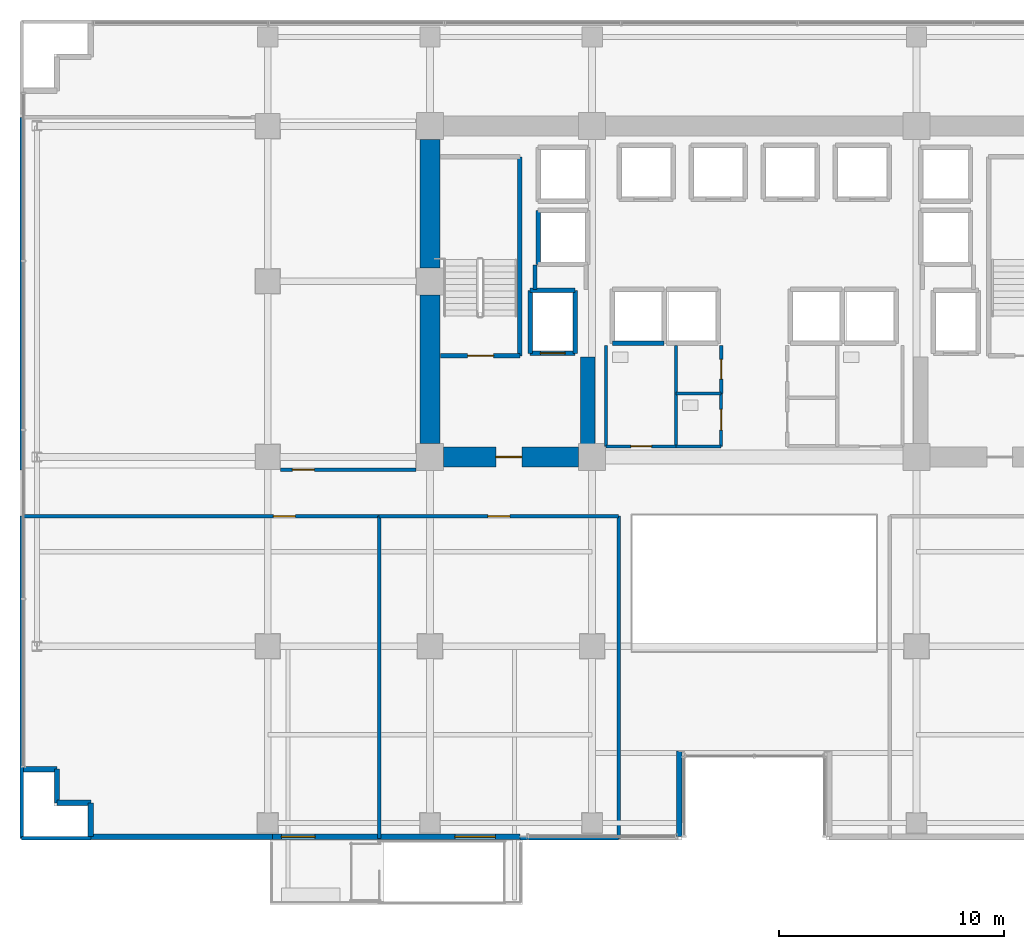
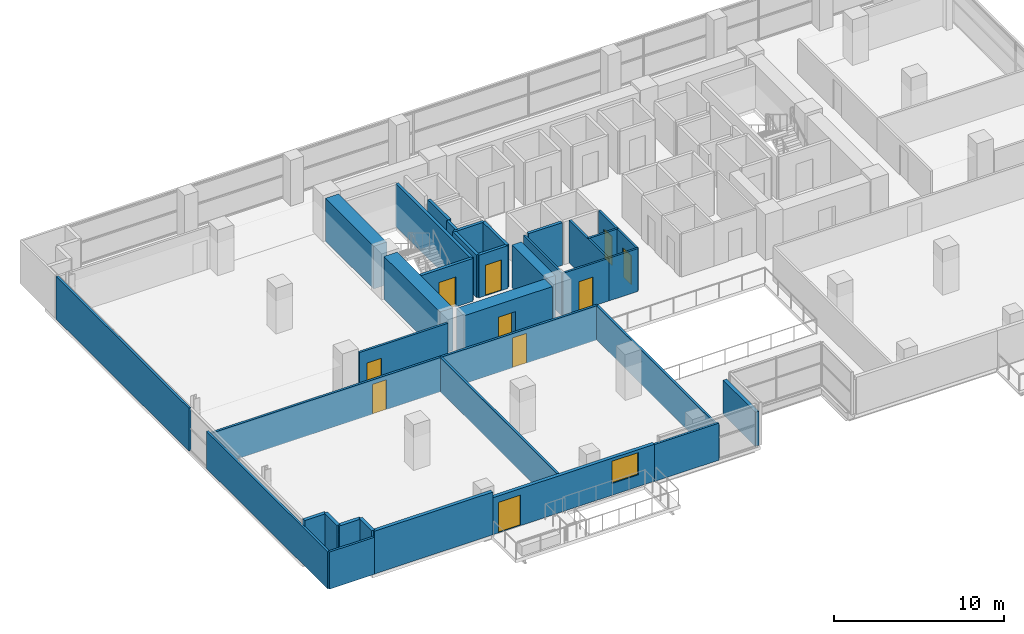
# One storey, part 22 of 30: 36 walls, 10 doors, 1 window, 11 openings.
"""IFC4 building model written with IfcOpenShell, lengths in metres."""

from ifc_helpers import new_model, si_unit, direction, frame, frame_2d, origin, place, context, subcontext, project, spatial, rectangle, extrude, source, transform, mapped, material, layer, layer_set, type_object, element, fill, save


model = new_model("IFC4")

# Units and contexts
model_context = context("Model", 3, precision=1e-05, world=origin(), true_north=direction((0.0, 1.0)))
body_context = subcontext(model_context, "Body", "Model", "MODEL_VIEW")
ifc_project = project(units=[si_unit("LENGTHUNIT", "METRE"), si_unit("AREAUNIT", "SQUARE_METRE"), si_unit("VOLUMEUNIT", "CUBIC_METRE"), si_unit("PLANEANGLEUNIT", "RADIAN"), si_unit("MASSUNIT", "GRAM", prefix="KILO")], contexts=[model_context])

# Site, building, storey
site_placement = place(None, origin())
site = spatial("IfcSite", under=ifc_project, at=site_placement, CompositionType="ELEMENT")
building_placement = place(site_placement, origin())
building = spatial("IfcBuilding", under=site, at=building_placement, Name="Zarnakvel Exchange Tower", CompositionType="ELEMENT")
storey_placement = place(building_placement, frame((0.0, 0.0, 30.699951171875)))
storey = spatial("IfcBuildingStorey", under=building, at=storey_placement, Name="L07", CompositionType="ELEMENT", Elevation=30.699951171875)

# Walls
ifc_material_1 = material(Name="Concrete C80/95", Category="concrete")
ifc_layer_1 = layer(ifc_material_1, 0.89990234375)
ifc_layer_set_1 = layer_set([ifc_layer_1], Name="Concrete C80/95")
wall_type_1 = type_object("IfcWallType", Name="CW-C1", PredefinedType="SHEAR", material=ifc_layer_set_1)
wall_1_placement = place(storey_placement, frame((-14.39990234375, -0.60009765625, 0.0), z_axis=(0.0, 0.0, 1.0), x_axis=(0.0, 1.0, 0.0)))
element("IfcWall", 1, at=wall_1_placement, inside=storey, type_object=wall_type_1, Name="L07 Rear Core Shear Wall W1 (CW-C1)", PredefinedType="SHEAR", context=body_context, shape_type="SweptSolid", body=[
    extrude(rectangle(XDim=6.60009765625, YDim=0.89990234375, at=frame_2d((3.300048828125, 0.0))), origin(), (0.0, 0.0, 1.0), 3.074951171875),
])
wall_2_placement = place(storey_placement, frame((-14.39990234375, 7.199951171875, 0.0), z_axis=(0.0, 0.0, 1.0), x_axis=(0.0, 1.0, 0.0)))
element("IfcWall", 2, at=wall_2_placement, inside=storey, type_object=wall_type_1, Name="L07 Rear Core Shear Wall W2 (CW-C1)", PredefinedType="SHEAR", context=body_context, shape_type="SweptSolid", body=[
    extrude(rectangle(XDim=5.699951171875, YDim=0.89990234375, at=frame_2d((2.85009765625, 0.0))), origin(), (0.0, 0.0, 1.0), 3.074951171875),
])

# Wall, opening, door
wall_3_placement = place(storey_placement, frame((-7.800048828125, -1.199951171875, 0.0), z_axis=(0.0, 0.0, 1.0), x_axis=(-1.0, 0.0, 0.0)))
wall_3 = element("IfcWall", 3, at=wall_3_placement, inside=storey, type_object=wall_type_1, Name="L07 Rear Core Shear Wall SW (CW-C1)", PredefinedType="SHEAR", context=body_context, shape_type="SweptSolid", body=[
    extrude(rectangle(XDim=6.0, YDim=0.89990234375, at=frame_2d((3.0, 0.0))), origin(), (0.0, 0.0, 1.0), 3.074951171875),
])
opening_1_placement = place(wall_3_placement, frame((2.52490234375, 0.0, 0.0)))
opening_1 = element("IfcOpeningElement", 4, at=opening_1_placement, cuts=wall_3, Name="Opening D-L07-03", PredefinedType="OPENING", context=body_context, shape_type="SweptSolid", body=[
    extrude(rectangle(XDim=1.14990234375, YDim=2.14990234375, at=frame_2d((0.574951171875, 1.074951171875))), frame((0.0, 0.4599609375, 0.0), z_axis=(0.0, -1.0, 0.0), x_axis=(1.0, 0.0, 0.0)), (0.0, 0.0, 1.0), 0.919921875),
])
ifc_material_2 = material(Name="Painted Galvanised Steel S355", Category="steel")
door_type_1 = type_object("IfcDoorType", Name="DT-04", OperationType="NOTDEFINED", PredefinedType="DOOR", material=ifc_material_2)
shared_shape_1 = source(origin(), body_context, "Body", "SweptSolid", [
    extrude(rectangle(XDim=1.14990234375, YDim=2.14990234375, at=frame_2d((0.574951171875, 1.074951171875))), frame((0.0, 0.02490234375, 0.0), z_axis=(0.0, -1.0, 0.0), x_axis=(1.0, 0.0, 0.0)), (0.0, 0.0, 1.0), 0.050048828125),
])
door_1_placement = place(opening_1_placement, origin())
door_1 = element("IfcDoor", 5, at=door_1_placement, inside=storey, type_object=door_type_1, Name="L07 Firefighting Lobby West Door D-L07-03", OperationType="SINGLE_SWING_RIGHT", OverallHeight=2.14990234375, OverallWidth=1.14990234375, PredefinedType="DOOR", context=body_context, shape_type="MappedRepresentation", body=[
    mapped(shared_shape_1, transform((0.0, 0.0, 0.0), x_axis=(1.0, 0.0, 0.0), y_axis=(0.0, 1.0, 0.0), z_axis=(0.0, 0.0, 1.0), scale=1.0)),
])
fill(opening_1, door_1)

# Wall
ifc_layer_2 = layer(ifc_material_1, 0.64990234375)
ifc_layer_set_2 = layer_set([ifc_layer_2], Name="Concrete C80/95")
wall_type_2 = type_object("IfcWallType", Name="CW-C2", PredefinedType="SHEAR", material=ifc_layer_set_2)
wall_4_placement = place(storey_placement, frame((-7.39990234375, -0.75, 0.0), z_axis=(0.0, 0.0, 1.0), x_axis=(0.0, 1.0, 0.0)))
element("IfcWall", 6, at=wall_4_placement, inside=storey, type_object=wall_type_2, Name="L07 Rear Core Shear Wall IW (CW-C2)", PredefinedType="SHEAR", context=body_context, shape_type="SweptSolid", body=[
    extrude(rectangle(XDim=4.0, YDim=0.64990234375, at=frame_2d((2.0, 0.0))), origin(), (0.0, 0.0, 1.0), 3.074951171875),
])

# Wall, openings, door, window
ifc_material_3 = material(Name="Precast concrete C40/50", Category="concrete")
ifc_layer_3 = layer(ifc_material_3, 0.239990234375)
ifc_layer_set_3 = layer_set([ifc_layer_3], Name="Precast concrete C40/50")
wall_type_3 = type_object("IfcWallType", Name="EW-02", PredefinedType="SOLIDWALL", material=ifc_layer_set_3)
wall_5_placement = place(storey_placement, frame((-10.39990234375, -18.06005859375, 0.0), z_axis=(0.0, 0.0, 1.0), x_axis=(-1.0, 0.0, 0.0)))
wall_5 = element("IfcWall", 7, at=wall_5_placement, inside=storey, type_object=wall_type_3, Name="L07 Exterior Precast Spandrel Wall EW-SPTER-L07 (EW-02)", PredefinedType="SOLIDWALL", context=body_context, shape_type="SweptSolid", body=[
    extrude(rectangle(XDim=11.0, YDim=0.239990234375, at=frame_2d((5.5, 0.0))), origin(), (0.0, 0.0, 1.0), 2.6650390625),
])
opening_2_placement = place(wall_5_placement, frame((9.10009765625, 0.0, 0.0)))
opening_2 = element("IfcOpeningElement", 8, at=opening_2_placement, cuts=wall_5, Name="Opening TD-L07-SP", PredefinedType="OPENING", context=body_context, shape_type="SweptSolid", body=[
    extrude(rectangle(XDim=1.5, YDim=2.199951171875, at=frame_2d((0.75, 1.10009765625))), frame((0.0, 0.1298828125, 0.0), z_axis=(0.0, -1.0, 0.0), x_axis=(1.0, 0.0, 0.0)), (0.0, 0.0, 1.0), 0.260009765625),
])
opening_3_placement = place(wall_5_placement, frame((1.10009765625, 0.0, 0.85009765625)))
opening_3 = element("IfcOpeningElement", 9, at=opening_3_placement, cuts=wall_5, Name="Opening WN-05", PredefinedType="OPENING", context=body_context, shape_type="SweptSolid", body=[
    extrude(rectangle(XDim=1.800048828125, YDim=1.60009765625, at=frame_2d((0.89990234375, 0.800048828125))), frame((0.0, 0.1298828125, 0.0), z_axis=(0.0, -1.0, 0.0), x_axis=(1.0, 0.0, 0.0)), (0.0, 0.0, 1.0), 0.260009765625),
])
ifc_material_4 = material(Name="Architectural Bronze Anodised Aluminium", Category="aluminium")
door_type_2 = type_object("IfcDoorType", Name="DT-10", OperationType="NOTDEFINED", PredefinedType="DOOR", material=ifc_material_4)
shared_shape_2 = source(origin(), body_context, "Body", "SweptSolid", [
    extrude(rectangle(XDim=1.5, YDim=2.199951171875, at=frame_2d((0.75, 1.10009765625))), frame((0.0, 0.02490234375, 0.0), z_axis=(0.0, -1.0, 0.0), x_axis=(1.0, 0.0, 0.0)), (0.0, 0.0, 1.0), 0.050048828125),
])
door_2_placement = place(opening_2_placement, origin())
door_2 = element("IfcDoor", 10, at=door_2_placement, inside=storey, type_object=door_type_2, Name="L07 Spiral Sky-Terrace Access Door TD-L07-SP", OperationType="DOUBLE_DOOR_SINGLE_SWING", OverallHeight=2.199951171875, OverallWidth=1.5, PredefinedType="DOOR", context=body_context, shape_type="MappedRepresentation", body=[
    mapped(shared_shape_2, transform((0.0, 0.0, 0.0), x_axis=(1.0, 0.0, 0.0), y_axis=(0.0, 1.0, 0.0), z_axis=(0.0, 0.0, 1.0), scale=1.0)),
])
fill(opening_2, door_2)
ifc_material_5 = material(Name="Double Low-E Laminated Vision Glass", Category="glass")
window_type = type_object("IfcWindowType", Name="WN-05", PartitioningType="SINGLE_PANEL", PredefinedType="WINDOW", material=ifc_material_5)
shared_shape_3 = source(origin(), body_context, "Body", "SweptSolid", [
    extrude(rectangle(XDim=1.800048828125, YDim=1.60009765625, at=frame_2d((0.89990234375, 0.800048828125))), frame((0.0, 0.030029296875, 0.0), z_axis=(0.0, -1.0, 0.0), x_axis=(1.0, 0.0, 0.0)), (0.0, 0.0, 1.0), 0.06005859375),
])
window_placement = place(opening_3_placement, origin())
window = element("IfcWindow", 11, at=window_placement, inside=storey, type_object=window_type, Name="L07 Spiral Sky-Terrace Lounge Window", OverallHeight=1.60009765625, OverallWidth=1.800048828125, PartitioningType="SINGLE_PANEL", PredefinedType="WINDOW", context=body_context, shape_type="MappedRepresentation", body=[
    mapped(shared_shape_3, transform((0.0, 0.0, 0.0), x_axis=(1.0, 0.0, 0.0), y_axis=(0.0, 1.0, 0.0), z_axis=(0.0, 0.0, 1.0), scale=1.0)),
])
fill(opening_3, window)

# Walls
wall_6_placement = place(storey_placement, frame((-3.340087890625, -18.06005859375, 0.0), z_axis=(0.0, 0.0, 1.0), x_axis=(0.0, 1.0, 0.0)))
element("IfcWall", 12, at=wall_6_placement, inside=storey, type_object=wall_type_3, Name="L07 Exterior Precast Spandrel Wall EWC-L07-20 (EW-02)", PredefinedType="SOLIDWALL", context=body_context, shape_type="SweptSolid", body=[
    extrude(rectangle(XDim=3.800048828125, YDim=0.239990234375, at=frame_2d((1.89990234375, 0.0))), origin(), (0.0, 0.0, 1.0), 2.465087890625),
])
wall_7_placement = place(storey_placement, frame((-29.4599609375, -18.06005859375, 0.0), z_axis=(0.0, 0.0, 1.0), x_axis=(1.0, 0.0, 0.0)))
element("IfcWall", 13, at=wall_7_placement, inside=storey, type_object=wall_type_3, Name="L07 Exterior Precast Spandrel Wall EWC-L07-22 (EW-02)", PredefinedType="SOLIDWALL", context=body_context, shape_type="SweptSolid", body=[
    extrude(rectangle(XDim=8.06005859375, YDim=0.239990234375, at=frame_2d((4.030029296875, 0.0))), origin(), (0.0, 0.0, 1.0), 3.074951171875),
])
for number, where, z_axis, x_axis, name in (
    (14, (-29.4599609375, -16.56005859375, 0.0), (0.0, 0.0, 1.0), (0.0, -1.0, 0.0), "L07 Exterior Precast Spandrel Wall EWC-L07-23 (EW-02)"),
    (15, (-30.9599609375, -16.56005859375, 0.0), (0.0, 0.0, 1.0), (1.0, 0.0, 0.0), "L07 Exterior Precast Spandrel Wall EWC-L07-24 (EW-02)"),
    (16, (-30.9599609375, -15.06005859375, 0.0), (0.0, 0.0, 1.0), (0.0, -1.0, 0.0), "L07 Exterior Precast Spandrel Wall EWC-L07-25 (EW-02)"),
    (17, (-32.4599609375, -15.06005859375, 0.0), (0.0, 0.0, 1.0), (1.0, 0.0, 0.0), "L07 Exterior Precast Spandrel Wall EWC-L07-26 (EW-02)"),
):
    element("IfcWall", number, at=place(storey_placement, frame(where, z_axis=z_axis, x_axis=x_axis)), inside=storey, type_object=wall_type_3, Name=name, PredefinedType="SOLIDWALL", context=body_context, shape_type="SweptSolid", body=[
        extrude(rectangle(XDim=1.5, YDim=0.239990234375, at=frame_2d((0.75, 0.0))), origin(), (0.0, 0.0, 1.0), 3.074951171875),
    ])

# Wall, opening, door
ifc_material_6 = material(Name="Fire-Rated Gypsum Stud Partition", Category="gypsum")
ifc_layer_4 = layer(ifc_material_6, 0.14990234375)
ifc_layer_set_4 = layer_set([ifc_layer_4], Name="Fire-Rated Gypsum Stud Partition")
wall_type_4 = type_object("IfcWallType", Name="PT-01", PredefinedType="PARTITIONING", material=ifc_layer_set_4)
wall_8_placement = place(storey_placement, frame((-1.469970703125, 3.760009765625, 0.0), z_axis=(0.0, 0.0, 1.0), x_axis=(0.0, -1.0, 0.0)))
wall_8 = element("IfcWall", 18, at=wall_8_placement, inside=storey, type_object=wall_type_4, Name="L07 Partition Wall PWALL-L07-017 (PT-01)", PredefinedType="PARTITIONING", context=body_context, shape_type="SweptSolid", body=[
    extrude(rectangle(XDim=2.130126953125, YDim=0.14990234375, at=frame_2d((1.06494140625, 0.0))), origin(), (0.0, 0.0, 1.0), 3.074951171875),
])
opening_4_placement = place(wall_8_placement, frame((0.6201171875, 0.0, 0.0)))
opening_4 = element("IfcOpeningElement", 19, at=opening_4_placement, cuts=wall_8, Name="Opening D-L07-07", PredefinedType="OPENING", context=body_context, shape_type="SweptSolid", body=[
    extrude(rectangle(XDim=0.8798828125, YDim=2.10009765625, at=frame_2d((0.43994140625, 1.050048828125))), frame((0.0, 0.0849609375, 0.0), z_axis=(0.0, -1.0, 0.0), x_axis=(1.0, 0.0, 0.0)), (0.0, 0.0, 1.0), 0.169921875),
])
door_type_3 = type_object("IfcDoorType", Name="DT-08", OperationType="NOTDEFINED", PredefinedType="DOOR", material=ifc_material_2)
shared_shape_4 = source(origin(), body_context, "Body", "SweptSolid", [
    extrude(rectangle(XDim=0.8798828125, YDim=2.10009765625, at=frame_2d((0.43994140625, 1.050048828125))), frame((0.0, 0.02490234375, 0.0), z_axis=(0.0, -1.0, 0.0), x_axis=(1.0, 0.0, 0.0)), (0.0, 0.0, 1.0), 0.050048828125),
])
door_3_placement = place(opening_4_placement, origin())
door_3 = element("IfcDoor", 20, at=door_3_placement, inside=storey, type_object=door_type_3, Name="L07 Core Comms Room Door D-L07-07", OperationType="SINGLE_SWING_RIGHT", OverallHeight=2.10009765625, OverallWidth=0.8798828125, PredefinedType="DOOR", context=body_context, shape_type="MappedRepresentation", body=[
    mapped(shared_shape_4, transform((0.0, 0.0, 0.0), x_axis=(1.0, 0.0, 0.0), y_axis=(0.0, 1.0, 0.0), z_axis=(0.0, 0.0, 1.0), scale=1.0)),
])
fill(opening_4, door_3)

# Wall
wall_9_placement = place(storey_placement, frame((-29.4599609375, -18.1298828125, 0.0), z_axis=(0.0, 0.0, 1.0), x_axis=(-1.0, 0.0, 0.0)))
element("IfcWall", 21, at=wall_9_placement, inside=storey, type_object=wall_type_4, Name="L07 Partition Wall PWALL-L07-026 (PT-01)", PredefinedType="PARTITIONING", context=body_context, shape_type="SweptSolid", body=[
    extrude(rectangle(XDim=3.070068359375, YDim=0.14990234375, at=frame_2d((1.53515625, 0.0))), origin(), (0.0, 0.0, 1.0), 2.6650390625),
])

# Wall, opening, door
wall_10_placement = place(storey_placement, frame((-32.530029296875, -3.830078125, 0.0), z_axis=(0.0, 0.0, 1.0), x_axis=(1.0, 0.0, 0.0)))
wall_10 = element("IfcWall", 22, at=wall_10_placement, inside=storey, type_object=wall_type_4, Name="L07 Partition Wall PWALL-L07-027 (PT-01)", PredefinedType="PARTITIONING", context=body_context, shape_type="SweptSolid", body=[
    extrude(rectangle(XDim=15.8740234375, YDim=0.14990234375, at=frame_2d((7.93701171875, 0.0))), origin(), (0.0, 0.0, 1.0), 2.465087890625),
])
opening_5_placement = place(wall_10_placement, frame((11.172119140625, 0.0, 0.0)))
opening_5 = element("IfcOpeningElement", 23, at=opening_5_placement, cuts=wall_10, Name="Opening D-L07-11", PredefinedType="OPENING", context=body_context, shape_type="SweptSolid", body=[
    extrude(rectangle(XDim=0.97998046875, YDim=2.14990234375, at=frame_2d((0.489990234375, 1.074951171875))), frame((0.0, 0.0849609375, 0.0), z_axis=(0.0, -1.0, 0.0), x_axis=(1.0, 0.0, 0.0)), (0.0, 0.0, 1.0), 0.169921875),
])
ifc_material_7 = material(Name="Timber Acoustic Veneer", Category="wood")
door_type_4 = type_object("IfcDoorType", Name="DT-05", OperationType="NOTDEFINED", PredefinedType="DOOR", material=ifc_material_7)
shared_shape_5 = source(origin(), body_context, "Body", "SweptSolid", [
    extrude(rectangle(XDim=0.97998046875, YDim=2.14990234375, at=frame_2d((0.489990234375, 1.074951171875))), frame((0.0, 0.02490234375, 0.0), z_axis=(0.0, -1.0, 0.0), x_axis=(1.0, 0.0, 0.0)), (0.0, 0.0, 1.0), 0.050048828125),
])
door_4_placement = place(opening_5_placement, origin())
door_4 = element("IfcDoor", 24, at=door_4_placement, inside=storey, type_object=door_type_4, Name="L07 Electronic Trading Hall Door D-L07-11", OperationType="SINGLE_SWING_RIGHT", OverallHeight=2.14990234375, OverallWidth=0.97998046875, PredefinedType="DOOR", context=body_context, shape_type="MappedRepresentation", body=[
    mapped(shared_shape_5, transform((0.0, 0.0, 0.0), x_axis=(1.0, 0.0, 0.0), y_axis=(0.0, 1.0, 0.0), z_axis=(0.0, 0.0, 1.0), scale=1.0)),
])
fill(opening_5, door_4)

# Walls
wall_11_placement = place(storey_placement, frame((-32.530029296875, -18.1298828125, 0.0), z_axis=(0.0, 0.0, 1.0), x_axis=(0.0, 1.0, 0.0)))
element("IfcWall", 25, at=wall_11_placement, inside=storey, type_object=wall_type_4, Name="L07 Partition Wall PWALL-L07-028 (PT-01)", PredefinedType="PARTITIONING", context=body_context, shape_type="SweptSolid", body=[
    extrude(rectangle(XDim=14.2998046875, YDim=0.14990234375, at=frame_2d((7.14990234375, 0.0))), origin(), (0.0, 0.0, 1.0), 2.6650390625),
])
wall_12_placement = place(storey_placement, frame((-16.656005859375, -3.830078125, 0.0), z_axis=(0.0, 0.0, 1.0), x_axis=(0.0, -1.0, 0.0)))
element("IfcWall", 26, at=wall_12_placement, inside=storey, type_object=wall_type_4, Name="L07 Partition Wall PWALL-L07-029 (PT-01)", PredefinedType="PARTITIONING", context=body_context, shape_type="SweptSolid", body=[
    extrude(rectangle(XDim=14.2998046875, YDim=0.14990234375, at=frame_2d((7.14990234375, 0.0))), origin(), (0.0, 0.0, 1.0), 2.465087890625),
])
wall_13_placement = place(storey_placement, frame((-6.02001953125, -18.1298828125, 0.0), z_axis=(0.0, 0.0, 1.0), x_axis=(-1.0, 0.0, 0.0)))
element("IfcWall", 27, at=wall_13_placement, inside=storey, type_object=wall_type_4, Name="L07 Partition Wall PWALL-L07-030 (PT-01)", PredefinedType="PARTITIONING", context=body_context, shape_type="SweptSolid", body=[
    extrude(rectangle(XDim=4.3798828125, YDim=0.14990234375, at=frame_2d((2.18994140625, 0.0))), origin(), (0.0, 0.0, 1.0), 2.6650390625),
])

# Wall, opening, door
wall_14_placement = place(storey_placement, frame((-16.656005859375, -3.830078125, 0.0), z_axis=(0.0, 0.0, 1.0), x_axis=(1.0, 0.0, 0.0)))
wall_14 = element("IfcWall", 28, at=wall_14_placement, inside=storey, type_object=wall_type_4, Name="L07 Partition Wall PWALL-L07-031 (PT-01)", PredefinedType="PARTITIONING", context=body_context, shape_type="SweptSolid", body=[
    extrude(rectangle(XDim=10.635986328125, YDim=0.14990234375, at=frame_2d((5.31787109375, 0.0))), origin(), (0.0, 0.0, 1.0), 2.465087890625),
])
opening_6_placement = place(wall_14_placement, frame((4.827880859375, 0.0, 0.0)))
opening_6 = element("IfcOpeningElement", 29, at=opening_6_placement, cuts=wall_14, Name="Opening D-L07-12", PredefinedType="OPENING", context=body_context, shape_type="SweptSolid", body=[
    extrude(rectangle(XDim=0.97998046875, YDim=2.14990234375, at=frame_2d((0.489990234375, 1.074951171875))), frame((0.0, 0.0849609375, 0.0), z_axis=(0.0, -1.0, 0.0), x_axis=(1.0, 0.0, 0.0)), (0.0, 0.0, 1.0), 0.169921875),
])
door_5_placement = place(opening_6_placement, origin())
door_5 = element("IfcDoor", 30, at=door_5_placement, inside=storey, type_object=door_type_4, Name="L07 Brokerage Workspace Door D-L07-12", OperationType="SINGLE_SWING_LEFT", OverallHeight=2.14990234375, OverallWidth=0.97998046875, PredefinedType="DOOR", context=body_context, shape_type="MappedRepresentation", body=[
    mapped(shared_shape_5, transform((0.0, 0.0, 0.0), x_axis=(1.0, 0.0, 0.0), y_axis=(0.0, 1.0, 0.0), z_axis=(0.0, 0.0, 1.0), scale=1.0)),
])
fill(opening_6, door_5)

# Wall
wall_15_placement = place(storey_placement, frame((-6.02001953125, -3.830078125, 0.0), z_axis=(0.0, 0.0, 1.0), x_axis=(0.0, -1.0, 0.0)))
element("IfcWall", 31, at=wall_15_placement, inside=storey, type_object=wall_type_4, Name="L07 Partition Wall PWALL-L07-032 (PT-01)", PredefinedType="PARTITIONING", context=body_context, shape_type="SweptSolid", body=[
    extrude(rectangle(XDim=14.2998046875, YDim=0.14990234375, at=frame_2d((7.14990234375, 0.0))), origin(), (0.0, 0.0, 1.0), 2.465087890625),
])

# Wall, opening, door
wall_16_placement = place(storey_placement, frame((-15.02001953125, -1.77001953125, 0.0), z_axis=(0.0, 0.0, 1.0), x_axis=(-1.0, 0.0, 0.0)))
wall_16 = element("IfcWall", 32, at=wall_16_placement, inside=storey, type_object=wall_type_4, Name="L07 Partition Wall PWALL-L07-037 (PT-01)", PredefinedType="PARTITIONING", context=body_context, shape_type="SweptSolid", body=[
    extrude(rectangle(XDim=6.010009765625, YDim=0.14990234375, at=frame_2d((3.0048828125, 0.0))), origin(), (0.0, 0.0, 1.0), 3.074951171875),
])
opening_7_placement = place(wall_16_placement, frame((4.514892578125, 0.0, 0.0)))
opening_7 = element("IfcOpeningElement", 33, at=opening_7_placement, cuts=wall_16, Name="Opening D-L07-14", PredefinedType="OPENING", context=body_context, shape_type="SweptSolid", body=[
    extrude(rectangle(XDim=0.97998046875, YDim=2.14990234375, at=frame_2d((0.489990234375, 1.074951171875))), frame((0.0, 0.0849609375, 0.0), z_axis=(0.0, -1.0, 0.0), x_axis=(1.0, 0.0, 0.0)), (0.0, 0.0, 1.0), 0.169921875),
])
door_6_placement = place(opening_7_placement, origin())
door_6 = element("IfcDoor", 34, at=door_6_placement, inside=storey, type_object=door_type_4, Name="L07 Boardroom Door D-L07-14", OperationType="SINGLE_SWING_LEFT", OverallHeight=2.14990234375, OverallWidth=0.97998046875, PredefinedType="DOOR", context=body_context, shape_type="MappedRepresentation", body=[
    mapped(shared_shape_5, transform((0.0, 0.0, 0.0), x_axis=(1.0, 0.0, 0.0), y_axis=(0.0, 1.0, 0.0), z_axis=(0.0, 0.0, 1.0), scale=1.0)),
])
fill(opening_7, door_6)

# Walls
wall_17_placement = place(storey_placement, frame((-32.530029296875, -1.77001953125, 0.0), z_axis=(0.0, 0.0, 1.0), x_axis=(0.0, 1.0, 0.0)))
element("IfcWall", 35, at=wall_17_placement, inside=storey, type_object=wall_type_4, Name="L07 Partition Wall PWALL-L07-039 (PT-01)", PredefinedType="PARTITIONING", context=body_context, shape_type="SweptSolid", body=[
    extrude(rectangle(XDim=15.64990234375, YDim=0.14990234375, at=frame_2d((7.824951171875, 0.0))), origin(), (0.0, 0.0, 1.0), 3.074951171875),
])
ifc_layer_5 = layer(ifc_material_6, 0.179931640625)
ifc_layer_set_5 = layer_set([ifc_layer_5], Name="Fire-Rated Gypsum Stud Partition")
wall_type_5 = type_object("IfcWallType", Name="PT-02", PredefinedType="PARTITIONING", material=ifc_layer_set_5)
wall_18_placement = place(storey_placement, frame((-9.72998046875, 6.239990234375, 0.0), z_axis=(0.0, 0.0, 1.0), x_axis=(0.0, 1.0, 0.0)))
element("IfcWall", 36, at=wall_18_placement, inside=storey, type_object=wall_type_5, Name="L07 Partition Wall PWALL-L07-007 (PT-02)", PredefinedType="PARTITIONING", context=body_context, shape_type="SweptSolid", body=[
    extrude(rectangle(XDim=1.090087890625, YDim=0.179931640625, at=frame_2d((0.544921875, 0.0))), origin(), (0.0, 0.0, 1.0), 3.074951171875),
])

# Wall, opening, door
ifc_material_8 = material(Name="Moisture-Resistant Tile-Faced Partition", Category="gypsum")
ifc_layer_6 = layer(ifc_material_8, 0.135009765625)
ifc_layer_set_6 = layer_set([ifc_layer_6], Name="Moisture-Resistant Tile-Faced Partition")
wall_type_6 = type_object("IfcWallType", Name="PT-03", PredefinedType="PARTITIONING", material=ifc_layer_set_6)
wall_19_placement = place(storey_placement, frame((-3.469970703125, -0.72998046875, 0.0), z_axis=(0.0, 0.0, 1.0), x_axis=(-1.0, 0.0, 0.0)))
wall_19 = element("IfcWall", 37, at=wall_19_placement, inside=storey, type_object=wall_type_6, Name="L07 Partition Wall PWALL-L07-011 (PT-03)", PredefinedType="PARTITIONING", context=body_context, shape_type="SweptSolid", body=[
    extrude(rectangle(XDim=3.110107421875, YDim=0.135009765625, at=frame_2d((1.55517578125, 0.0))), origin(), (0.0, 0.0, 1.0), 3.074951171875),
])
opening_8_placement = place(wall_19_placement, frame((1.090087890625, 0.0, 0.0)))
opening_8 = element("IfcOpeningElement", 38, at=opening_8_placement, cuts=wall_19, Name="Opening D-L07-05", PredefinedType="OPENING", context=body_context, shape_type="SweptSolid", body=[
    extrude(rectangle(XDim=0.919921875, YDim=2.10009765625, at=frame_2d((0.4599609375, 1.050048828125))), frame((0.0, 0.077392578125, 0.0), z_axis=(0.0, -1.0, 0.0), x_axis=(1.0, 0.0, 0.0)), (0.0, 0.0, 1.0), 0.155029296875),
])
ifc_material_9 = material(Name="Moisture-Resistant Laminate Timber", Category="wood")
door_type_5 = type_object("IfcDoorType", Name="DT-07", OperationType="NOTDEFINED", PredefinedType="DOOR", material=ifc_material_9)
shared_shape_6 = source(origin(), body_context, "Body", "SweptSolid", [
    extrude(rectangle(XDim=0.919921875, YDim=2.10009765625, at=frame_2d((0.4599609375, 1.050048828125))), frame((0.0, 0.02490234375, 0.0), z_axis=(0.0, -1.0, 0.0), x_axis=(1.0, 0.0, 0.0)), (0.0, 0.0, 1.0), 0.050048828125),
])
door_7_placement = place(opening_8_placement, origin())
door_7 = element("IfcDoor", 39, at=door_7_placement, inside=storey, type_object=door_type_5, Name="L07 Male Toilet Door D-L07-05", OperationType="SINGLE_SWING_RIGHT", OverallHeight=2.10009765625, OverallWidth=0.919921875, PredefinedType="DOOR", context=body_context, shape_type="MappedRepresentation", body=[
    mapped(shared_shape_6, transform((0.0, 0.0, 0.0), x_axis=(1.0, 0.0, 0.0), y_axis=(0.0, 1.0, 0.0), z_axis=(0.0, 0.0, 1.0), scale=1.0)),
])
fill(opening_8, door_7)

# Walls
for number, where, z_axis, x_axis, name in (
    (40, (-6.580078125, -0.72998046875, 0.0), (0.0, 0.0, 1.0), (0.0, 1.0, 0.0), "L07 Partition Wall PWALL-L07-012 (PT-03)"),
    (41, (-3.469970703125, 3.760009765625, 0.0), (0.0, 0.0, 1.0), (0.0, -1.0, 0.0), "L07 Partition Wall PWALL-L07-013 (PT-03)"),
):
    element("IfcWall", number, at=place(storey_placement, frame(where, z_axis=z_axis, x_axis=x_axis)), inside=storey, type_object=wall_type_6, Name=name, PredefinedType="PARTITIONING", context=body_context, shape_type="SweptSolid", body=[
        extrude(rectangle(XDim=4.489990234375, YDim=0.135009765625, at=frame_2d((2.2451171875, 0.0))), origin(), (0.0, 0.0, 1.0), 3.074951171875),
    ])
for number, where, z_axis, x_axis, name in (
    (42, (-1.469970703125, -0.72998046875, 0.0), (0.0, 0.0, 1.0), (-1.0, 0.0, 0.0), "L07 Partition Wall PWALL-L07-014 (PT-03)"),
    (43, (-3.469970703125, 1.6298828125, 0.0), (0.0, 0.0, 1.0), (1.0, 0.0, 0.0), "L07 Partition Wall PWALL-L07-015 (PT-03)"),
):
    element("IfcWall", number, at=place(storey_placement, frame(where, z_axis=z_axis, x_axis=x_axis)), inside=storey, type_object=wall_type_6, Name=name, PredefinedType="PARTITIONING", context=body_context, shape_type="SweptSolid", body=[
        extrude(rectangle(XDim=2.0, YDim=0.135009765625, at=frame_2d((1.0, 0.0))), origin(), (0.0, 0.0, 1.0), 3.074951171875),
    ])

# Wall, opening, door
wall_20_placement = place(storey_placement, frame((-1.469970703125, 1.6298828125, 0.0), z_axis=(0.0, 0.0, 1.0), x_axis=(0.0, -1.0, 0.0)))
wall_20 = element("IfcWall", 44, at=wall_20_placement, inside=storey, type_object=wall_type_6, Name="L07 Partition Wall PWALL-L07-016 (PT-03)", PredefinedType="PARTITIONING", context=body_context, shape_type="SweptSolid", body=[
    extrude(rectangle(XDim=2.35986328125, YDim=0.135009765625, at=frame_2d((1.179931640625, 0.0))), origin(), (0.0, 0.0, 1.0), 3.074951171875),
])
opening_9_placement = place(wall_20_placement, frame((0.719970703125, 0.0, 0.0)))
opening_9 = element("IfcOpeningElement", 45, at=opening_9_placement, cuts=wall_20, Name="Opening D-L07-06", PredefinedType="OPENING", context=body_context, shape_type="SweptSolid", body=[
    extrude(rectangle(XDim=0.919921875, YDim=2.10009765625, at=frame_2d((0.4599609375, 1.050048828125))), frame((0.0, 0.077392578125, 0.0), z_axis=(0.0, -1.0, 0.0), x_axis=(1.0, 0.0, 0.0)), (0.0, 0.0, 1.0), 0.155029296875),
])
door_8_placement = place(opening_9_placement, origin())
door_8 = element("IfcDoor", 46, at=door_8_placement, inside=storey, type_object=door_type_5, Name="L07 Accessible Toilet Door D-L07-06", OperationType="SINGLE_SWING_LEFT", OverallHeight=2.10009765625, OverallWidth=0.919921875, PredefinedType="DOOR", context=body_context, shape_type="MappedRepresentation", body=[
    mapped(shared_shape_6, transform((0.0, 0.0, 0.0), x_axis=(1.0, 0.0, 0.0), y_axis=(0.0, 1.0, 0.0), z_axis=(0.0, 0.0, 1.0), scale=1.0)),
])
fill(opening_9, door_8)

ifc_material_10 = material(Name="Concrete C40/50", Category="concrete")
ifc_layer_7 = layer(ifc_material_10, 0.199951171875)
ifc_layer_set_7 = layer_set([ifc_layer_7], Name="Concrete C40/50")
wall_type_7 = type_object("IfcWallType", Name="SW-01", PredefinedType="SOLIDWALL", material=ifc_layer_set_7)
wall_21_placement = place(storey_placement, frame((-7.949951171875, 3.39990234375, 0.0), z_axis=(0.0, 0.0, 1.0), x_axis=(-1.0, 0.0, 0.0)))
wall_21 = element("IfcWall", 47, at=wall_21_placement, inside=storey, type_object=wall_type_7, Name="L07 FL-01 Hoistway Wall South", PredefinedType="SOLIDWALL", context=body_context, shape_type="SweptSolid", body=[
    extrude(rectangle(XDim=2.0, YDim=0.199951171875, at=frame_2d((1.0, 0.0))), origin(), (0.0, 0.0, 1.0), 3.074951171875),
])
opening_10_placement = place(wall_21_placement, frame((0.449951171875, 0.0, 0.0)))
opening_10 = element("IfcOpeningElement", 48, at=opening_10_placement, cuts=wall_21, Name="Opening LD-FL-01-L07", PredefinedType="OPENING", context=body_context, shape_type="SweptSolid", body=[
    extrude(rectangle(XDim=1.10009765625, YDim=2.199951171875, at=frame_2d((0.550048828125, 1.10009765625))), frame((0.0, 0.10986328125, 0.0), z_axis=(0.0, -1.0, 0.0), x_axis=(1.0, 0.0, 0.0)), (0.0, 0.0, 1.0), 0.219970703125),
])
ifc_material_11 = material(Name="Brushed Stainless Steel", Category="steel")
door_type_6 = type_object("IfcDoorType", Name="LDT-01", OperationType="NOTDEFINED", PredefinedType="DOOR", material=ifc_material_11)
shared_shape_7 = source(origin(), body_context, "Body", "SweptSolid", [
    extrude(rectangle(XDim=1.10009765625, YDim=2.199951171875, at=frame_2d((0.550048828125, 1.10009765625))), frame((0.0, 0.02490234375, 0.0), z_axis=(0.0, -1.0, 0.0), x_axis=(1.0, 0.0, 0.0)), (0.0, 0.0, 1.0), 0.050048828125),
])
door_9_placement = place(opening_10_placement, origin())
door_9 = element("IfcDoor", 49, at=door_9_placement, inside=storey, type_object=door_type_6, Name="L07 FL-01 Lift Landing Door LD-FL-01-L07", OperationType="DOUBLE_DOOR_SLIDING", OverallHeight=2.199951171875, OverallWidth=1.10009765625, PredefinedType="DOOR", context=body_context, shape_type="MappedRepresentation", body=[
    mapped(shared_shape_7, transform((0.0, 0.0, 0.0), x_axis=(1.0, 0.0, 0.0), y_axis=(0.0, 1.0, 0.0), z_axis=(0.0, 0.0, 1.0), scale=1.0)),
])
fill(opening_10, door_9)

# Walls
wall_22_placement = place(storey_placement, frame((-9.949951171875, 6.199951171875, 0.0), z_axis=(0.0, 0.0, 1.0), x_axis=(1.0, 0.0, 0.0)))
element("IfcWall", 50, at=wall_22_placement, inside=storey, type_object=wall_type_7, Name="L07 FL-01 Hoistway Wall North", PredefinedType="SOLIDWALL", context=body_context, shape_type="SweptSolid", body=[
    extrude(rectangle(XDim=2.0, YDim=0.199951171875, at=frame_2d((1.0, 0.0))), origin(), (0.0, 0.0, 1.0), 3.074951171875),
])
for number, where, z_axis, x_axis, name in (
    (51, (-9.949951171875, 3.39990234375, 0.0), (0.0, 0.0, 1.0), (0.0, 1.0, 0.0), "L07 FL-01 Hoistway Wall West"),
    (52, (-7.949951171875, 6.199951171875, 0.0), (0.0, 0.0, 1.0), (0.0, -1.0, 0.0), "L07 FL-01 Hoistway Wall East"),
):
    element("IfcWall", number, at=place(storey_placement, frame(where, z_axis=z_axis, x_axis=x_axis)), inside=storey, type_object=wall_type_7, Name=name, PredefinedType="SOLIDWALL", context=body_context, shape_type="SweptSolid", body=[
        extrude(rectangle(XDim=2.800048828125, YDim=0.199951171875, at=frame_2d((1.39990234375, 0.0))), origin(), (0.0, 0.0, 1.0), 3.074951171875),
    ])
wall_23_placement = place(storey_placement, frame((-4.0, 3.85009765625, 0.0), z_axis=(0.0, 0.0, 1.0), x_axis=(-1.0, 0.0, 0.0)))
element("IfcWall", 53, at=wall_23_placement, inside=storey, type_object=wall_type_7, Name="L07 PL-05 Hoistway Wall South", PredefinedType="SOLIDWALL", context=body_context, shape_type="SweptSolid", body=[
    extrude(rectangle(XDim=2.300048828125, YDim=0.199951171875, at=frame_2d((1.14990234375, 0.0))), origin(), (0.0, 0.0, 1.0), 3.074951171875),
])
wall_24_placement = place(storey_placement, frame((-9.60009765625, 7.35009765625, 0.0), z_axis=(0.0, 0.0, 1.0), x_axis=(0.0, 1.0, 0.0)))
element("IfcWall", 54, at=wall_24_placement, inside=storey, type_object=wall_type_7, Name="L07 PL-09 Hoistway Wall West", PredefinedType="SOLIDWALL", context=body_context, shape_type="SweptSolid", body=[
    extrude(rectangle(XDim=2.39990234375, YDim=0.199951171875, at=frame_2d((1.199951171875, 0.0))), origin(), (0.0, 0.0, 1.0), 3.074951171875),
])

# Wall, opening, door
ifc_layer_8 = layer(ifc_material_10, 0.199951171875)
ifc_layer_set_8 = layer_set([ifc_layer_8], Name="Concrete C40/50")
wall_type_8 = type_object("IfcWallType", Name="SW-02", PredefinedType="SOLIDWALL", material=ifc_layer_set_8)
wall_25_placement = place(storey_placement, frame((-10.409912109375, 3.2900390625, 0.0), z_axis=(0.0, 0.0, 1.0), x_axis=(-1.0, 0.0, 0.0)))
wall_25 = element("IfcWall", 55, at=wall_25_placement, inside=storey, type_object=wall_type_8, Name="L07 Stairwell Core Wall PWALL-L07-001 (SW-02)", PredefinedType="SOLIDWALL", context=body_context, shape_type="SweptSolid", body=[
    extrude(rectangle(XDim=3.52001953125, YDim=0.199951171875, at=frame_2d((1.760009765625, 0.0))), origin(), (0.0, 0.0, 1.0), 3.074951171875),
])
opening_11_placement = place(wall_25_placement, frame((1.1650390625, 0.0, 0.0)))
opening_11 = element("IfcOpeningElement", 56, at=opening_11_placement, cuts=wall_25, Name="Opening D-L07-01", PredefinedType="OPENING", context=body_context, shape_type="SweptSolid", body=[
    extrude(rectangle(XDim=1.14990234375, YDim=2.14990234375, at=frame_2d((0.574951171875, 1.074951171875))), frame((0.0, 0.10986328125, 0.0), z_axis=(0.0, -1.0, 0.0), x_axis=(1.0, 0.0, 0.0)), (0.0, 0.0, 1.0), 0.219970703125),
])
door_10_placement = place(opening_11_placement, origin())
door_10 = element("IfcDoor", 57, at=door_10_placement, inside=storey, type_object=door_type_1, Name="L07 Stairwell ST-01 Door D-L07-01", OperationType="SINGLE_SWING_RIGHT", OverallHeight=2.14990234375, OverallWidth=1.14990234375, PredefinedType="DOOR", context=body_context, shape_type="MappedRepresentation", body=[
    mapped(shared_shape_1, transform((0.0, 0.0, 0.0), x_axis=(1.0, 0.0, 0.0), y_axis=(0.0, 1.0, 0.0), z_axis=(0.0, 0.0, 1.0), scale=1.0)),
])
fill(opening_11, door_10)

# Wall
wall_26_placement = place(storey_placement, frame((-10.409912109375, 12.1298828125, 0.0), z_axis=(0.0, 0.0, 1.0), x_axis=(0.0, -1.0, 0.0)))
element("IfcWall", 58, at=wall_26_placement, inside=storey, type_object=wall_type_8, Name="L07 Stairwell Core Wall PWALL-L07-003 (SW-02)", PredefinedType="SOLIDWALL", context=body_context, shape_type="SweptSolid", body=[
    extrude(rectangle(XDim=8.83984375, YDim=0.199951171875, at=frame_2d((4.419921875, 0.0))), origin(), (0.0, 0.0, 1.0), 3.074951171875),
])

save(model, "model.ifc")
